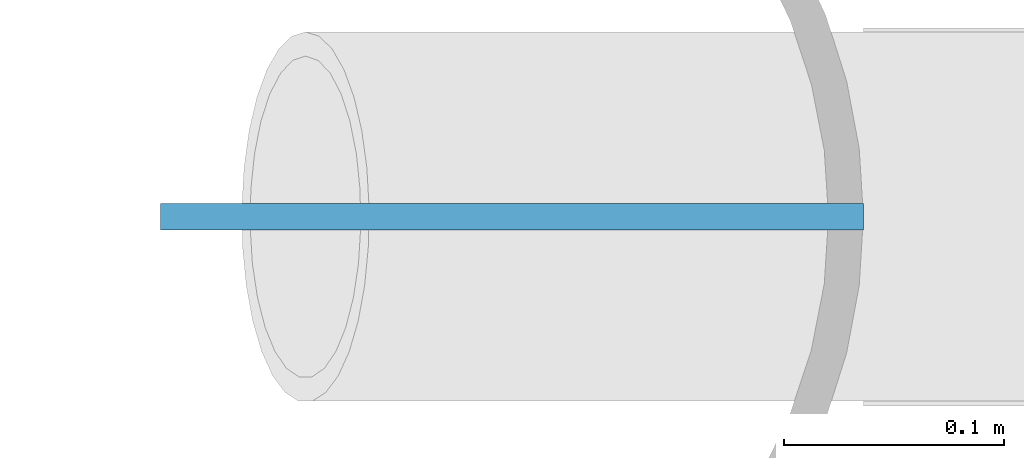
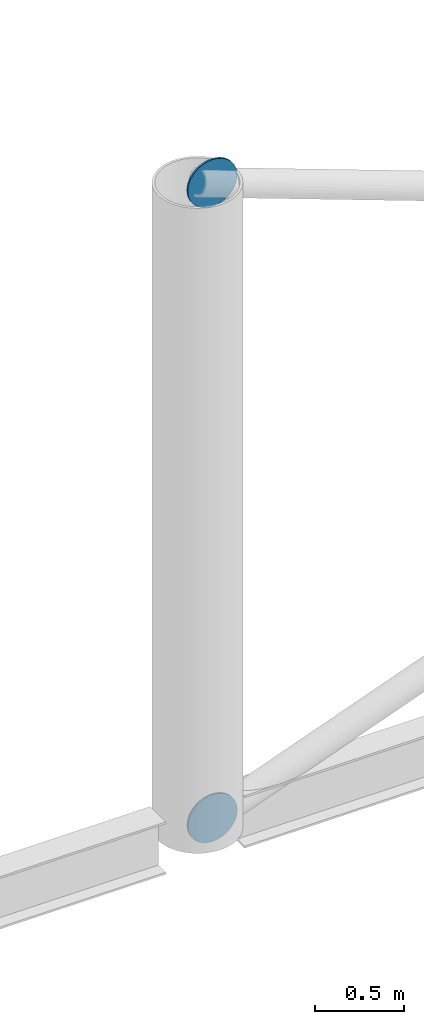
# One storey, part 73 of 95: 2 discrete accessories.
"""IFC4 building model written with IfcOpenShell, lengths in metres."""

import ifcopenshell
import ifcopenshell.guid

model = None  # the IFC model being written
_history = None  # IfcOwnerHistory: only IFC2X3 demands one
_inside = {}  # id of a spatial element -> (the spatial element, [elements in it])
_under = {}  # id of a project, library or spatial element -> (it, [spatial elements below it])
_declared = {}  # id of a project -> (the project, [libraries it declares])
_typed = {}  # id of a type object -> (the type object, [elements of that type])
_made_of = {}  # id of a material, layer set ... -> (it, [elements and type objects made of it])


def new_model(schema):
    """Start an empty IFC model of exactly this schema.

    Asked for "IFC4X3", IfcOpenShell would pick the latest addendum, in which some entities
    have other attributes; the version numbers below select the first issue.
    IFC2X3 requires an IfcOwnerHistory on every rooted entity: one is made here for all.
    """
    global model, _history
    if schema == "IFC4X3":
        model = ifcopenshell.file(schema_version=(4, 3, 0, 0))
    else:
        model = ifcopenshell.file(schema=schema)
    _inside.clear()
    _under.clear()
    _declared.clear()
    _typed.clear()
    _made_of.clear()
    _history = None
    if model.schema == "IFC2X3":
        org = make("IfcOrganization", Name="unknown")
        user = make(
            "IfcPersonAndOrganization",
            ThePerson=make("IfcPerson", FamilyName="unknown"),
            TheOrganization=org,
        )
        app = make(
            "IfcApplication",
            ApplicationDeveloper=org,
            Version="unknown",
            ApplicationFullName="unknown",
            ApplicationIdentifier="unknown",
        )
        _history = make(
            "IfcOwnerHistory",
            OwningUser=user,
            OwningApplication=app,
            ChangeAction="ADDED",
            CreationDate=0,
        )
    return model


def make(cls, **values):
    """One entity of the class cls with the attributes given. An attribute that is None is left unset."""
    return model.create_entity(
        cls, **{name: value for name, value in values.items() if value is not None}
    )


def rooted(cls, **values):
    """An entity with a GlobalId (a new one), such as an element, a storey or a relation."""
    return make(cls, GlobalId=ifcopenshell.guid.new(), OwnerHistory=_history, **values)


def si_unit(unit_type, name, prefix=None):
    """IfcSIUnit, for example si_unit("LENGTHUNIT", "METRE", prefix="MILLI")."""
    return make("IfcSIUnit", UnitType=unit_type, Prefix=prefix, Name=name)


def assignment(units):
    """IfcUnitAssignment: the units of a project."""
    return None if units is None else make("IfcUnitAssignment", Units=units)


def point(xyz):
    """IfcCartesianPoint."""
    return None if xyz is None else make("IfcCartesianPoint", Coordinates=xyz)


def direction(xyz):
    """IfcDirection."""
    return None if xyz is None else make("IfcDirection", DirectionRatios=xyz)


def frame(location, z_axis=None, x_axis=None):
    """IfcAxis2Placement3D, a coordinate frame: its origin and axes. An axis left out is left unset."""
    return make(
        "IfcAxis2Placement3D",
        Location=point(location),
        Axis=direction(z_axis),
        RefDirection=direction(x_axis),
    )


def frame_2d(location, x_axis=None):
    """IfcAxis2Placement2D, a coordinate frame in the plane: its origin and x axis."""
    return make(
        "IfcAxis2Placement2D", Location=point(location), RefDirection=direction(x_axis)
    )


def origin():
    """The frame at (0, 0, 0) with its axes left unset."""
    return frame((0.0, 0.0, 0.0))


def origin_2d():
    """The frame at (0, 0) in the plane with its x axis left unset."""
    return frame_2d((0.0, 0.0))


def place(relative_to, where):
    """IfcLocalPlacement: puts the frame where relative to a parent placement (None: the world)."""
    return make(
        "IfcLocalPlacement", PlacementRelTo=relative_to, RelativePlacement=where
    )


def context(
    kind, dimensions, precision=None, world=None, true_north=None, identifier=None
):
    """IfcGeometricRepresentationContext, for example the 3D "Model" context."""
    return make(
        "IfcGeometricRepresentationContext",
        ContextIdentifier=identifier,
        ContextType=kind,
        CoordinateSpaceDimension=dimensions,
        Precision=precision,
        WorldCoordinateSystem=world,
        TrueNorth=true_north,
    )


def subcontext(parent, identifier, kind, view, scale=None):
    """IfcGeometricRepresentationSubContext, for example "Body" below "Model"."""
    return make(
        "IfcGeometricRepresentationSubContext",
        ContextIdentifier=identifier,
        ContextType=kind,
        ParentContext=parent,
        TargetScale=scale,
        TargetView=view,
    )


def project(units=None, contexts=None):
    """IfcProject with its units and contexts."""
    return rooted(
        "IfcProject",
        Name="project",
        RepresentationContexts=contexts,
        UnitsInContext=assignment(units),
    )


def spatial(cls, under=None, at=None, **own):
    """A site, building, storey or space (cls), placed at a placement, below another one or the project."""
    s = rooted(cls, ObjectPlacement=at, **own)
    if under is not None:
        _under.setdefault(under.id(), (under, []))[1].append(s)
    return s


def profile(cls, at=None, kind="AREA", **sizes):
    """A parametric profile (cls). Its sizes go by their IFC names, for example OverallWidth=200.0."""
    return make(cls, ProfileType=kind, Position=at, **sizes)


def circle(**sizes):
    """IfcCircleProfileDef."""
    return profile("IfcCircleProfileDef", **sizes)


def extrude(swept, where, along, depth):
    """IfcExtrudedAreaSolid: the profile swept, set in the frame where, extruded along a direction by depth."""
    return make(
        "IfcExtrudedAreaSolid",
        SweptArea=swept,
        Position=where,
        ExtrudedDirection=direction(along),
        Depth=depth,
    )


def shape(context_of_items, identifier, shape_type, items):
    """IfcShapeRepresentation: the items that make up one representation, for example the "Body"."""
    return make(
        "IfcShapeRepresentation",
        ContextOfItems=context_of_items,
        RepresentationIdentifier=identifier,
        RepresentationType=shape_type,
        Items=items,
    )


def material(Name=None, Category=None):
    """IfcMaterial."""
    return make("IfcMaterial", Name=Name, Category=Category)


def layer(
    of_material, thickness, ventilated=None, Name=None, Category=None, Priority=None
):
    """IfcMaterialLayer: one layer of a wall or slab, of a material (None: an air gap)."""
    return make(
        "IfcMaterialLayer",
        Material=of_material,
        LayerThickness=thickness,
        IsVentilated=ventilated,
        Name=Name,
        Category=Category,
        Priority=Priority,
    )


def layer_set(layers, Name=None):
    """IfcMaterialLayerSet."""
    return make("IfcMaterialLayerSet", MaterialLayers=layers, LayerSetName=Name)


def made_of(thing, what):
    """Note that an element or type object is made of a material, layer set ...; save() writes the relation."""
    if what is not None:
        _made_of.setdefault(what.id(), (what, []))[1].append(thing)
    return thing


def type_object(cls, material=None, **own):
    """A type object (cls), such as IfcWallType, which elements share."""
    return made_of(rooted(cls, **own), material)


def element(
    cls,
    number,
    at=None,
    inside=None,
    cuts=None,
    type_object=None,
    material=None,
    context=None,
    identifier="Body",
    shape_type=None,
    held_by="IfcProductDefinitionShape",
    body=None,
    shapes=None,
    **own,
):
    """One element of the class cls, such as IfcWall. Its Tag is "e" and its number.

    at: its placement. inside: the storey or other place that contains it. cuts: it is an
    opening in that element (IfcRelVoidsElement). A single representation is given by context,
    identifier, shape_type and body (its items); several are given by shapes. held_by: the class
    of the entity that holds the representations. save() writes the other relations.
    """
    e = rooted(cls, Tag="e%d" % number, ObjectPlacement=at, **own)
    if body is not None:
        shapes = [shape(context, identifier, shape_type, body)]
    if shapes is not None:
        e.Representation = make(held_by, Representations=shapes)
    if inside is not None:
        _inside.setdefault(inside.id(), (inside, []))[1].append(e)
    if cuts is not None:
        rooted(
            "IfcRelVoidsElement", RelatingBuildingElement=cuts, RelatedOpeningElement=e
        )
    if type_object is not None:
        _typed.setdefault(type_object.id(), (type_object, []))[1].append(e)
    return made_of(e, material)


def aggregate(whole, parts):
    """IfcRelAggregates: a whole, such as a stair, and the parts it consists of."""
    return rooted("IfcRelAggregates", RelatingObject=whole, RelatedObjects=parts)


def save(model, path):
    """Write the relations noted so far, then the file.

    IfcRelAggregates (storeys below a building ...), IfcRelContainedInSpatialStructure (elements
    in a storey), IfcRelDefinesByType, IfcRelAssociatesMaterial and IfcRelDeclares: one each for
    every whole, place, type object, material and project.
    """
    for whole, parts in _under.values():
        aggregate(whole, parts)
    for where, things in _inside.values():
        rooted(
            "IfcRelContainedInSpatialStructure",
            RelatedElements=things,
            RelatingStructure=where,
        )
    for kind, things in _typed.values():
        rooted("IfcRelDefinesByType", RelatedObjects=things, RelatingType=kind)
    for what, things in _made_of.values():
        rooted("IfcRelAssociatesMaterial", RelatedObjects=things, RelatingMaterial=what)
    for by, libraries in _declared.values():
        rooted("IfcRelDeclares", RelatingContext=by, RelatedDefinitions=libraries)
    model.write(path)


model = new_model("IFC4")

# Units and contexts
model_context = context("Model", 3, precision=1e-05, world=origin(), true_north=direction((0.0, 1.0)))
body_context = subcontext(model_context, "Body", "Model", "MODEL_VIEW")
ifc_project = project(units=[si_unit("LENGTHUNIT", "METRE"), si_unit("AREAUNIT", "SQUARE_METRE"), si_unit("VOLUMEUNIT", "CUBIC_METRE"), si_unit("PLANEANGLEUNIT", "RADIAN"), si_unit("MASSUNIT", "GRAM", prefix="KILO")], contexts=[model_context])

# Site, building, storey
site_placement = place(None, origin())
site = spatial("IfcSite", under=ifc_project, at=site_placement, CompositionType="ELEMENT")
building_placement = place(site_placement, origin())
building = spatial("IfcBuilding", under=site, at=building_placement, Name="Windward Yard Aquatics Centre", CompositionType="ELEMENT")
storey_placement = place(building_placement, frame((0.0, 0.0, 9.39990234375)))
storey = spatial("IfcBuildingStorey", under=building, at=storey_placement, Name="L02", CompositionType="ELEMENT", Elevation=9.39990234375)

# Discrete accessories
ifc_material = material(Name="Steel S355", Category="steel")
ifc_layer = layer(ifc_material, 0.011962890625)
ifc_layer_set = layer_set([ifc_layer], Name="Gusset plate 320 mm disc 12 mm")
discrete_accessory_type = type_object("IfcDiscreteAccessoryType", Name="Gusset plate 320 mm disc 12 mm", PredefinedType="USERDEFINED", material=ifc_layer_set)
for number, where, z_axis, x_axis, name in (
    (1, (132.093994140625, 80.39404296875, 0.034423828125), (0.0, 1.0, 0.0), (-1.0, 0.0, 0.0), "Gusset plate"),
    (2, (132.093994140625, 80.39404296875, 4.36572265625), (0.0, 1.0, 0.0), (-1.0, 0.0, 0.0), "Gusset plate"),
):
    element("IfcDiscreteAccessory", number, at=place(storey_placement, frame(where, z_axis=z_axis, x_axis=x_axis)), inside=storey, type_object=discrete_accessory_type, Name=name, ObjectType="GUSSET PLATE", PredefinedType="USERDEFINED", context=body_context, shape_type="SweptSolid", body=[
        extrude(circle(Radius=0.159912109375, at=origin_2d()), origin(), (0.0, 0.0, 1.0), 0.011962890625),
    ])

save(model, "model.ifc")
